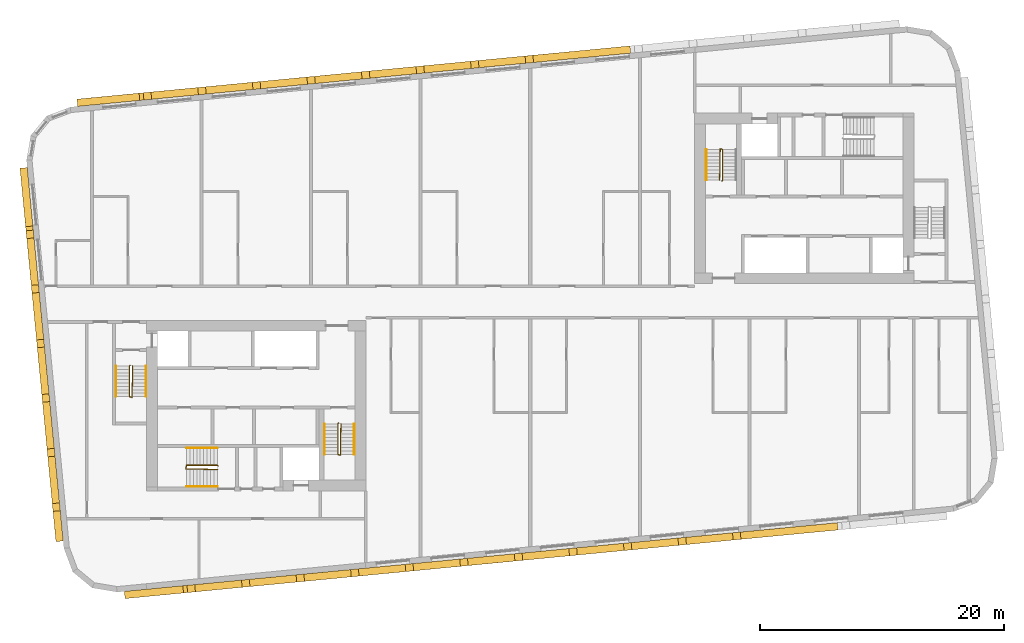
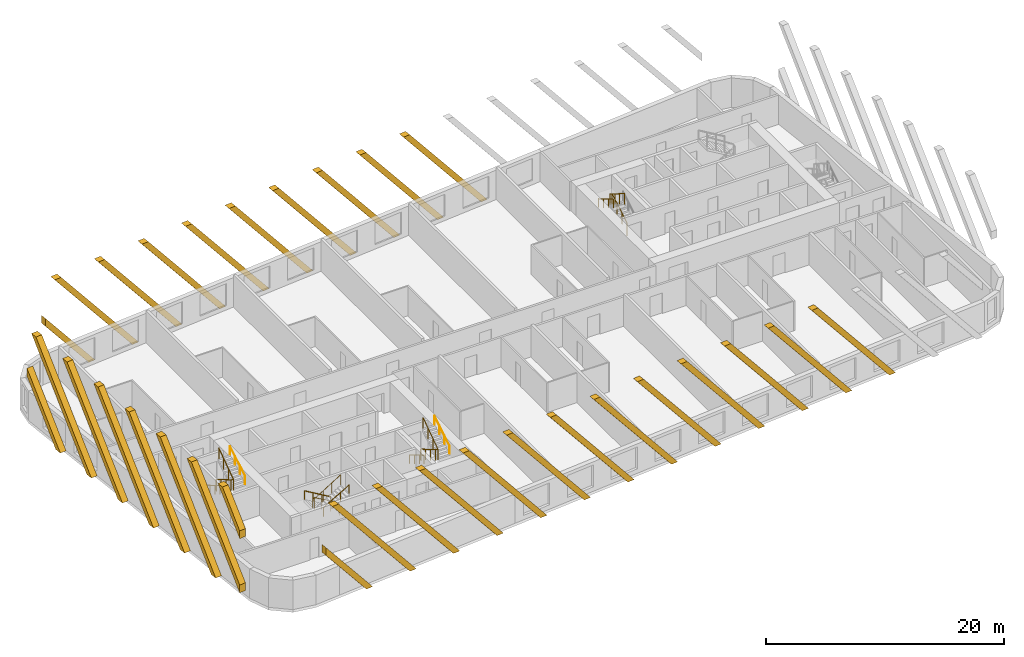
# One storey, part 11 of 12: 31 coverings, 11 railings.
"""IFC4 building model written with IfcOpenShell, lengths in metres."""

from ifc_helpers import new_model, si_unit, direction, frame, origin, origin_2d, place, context, subcontext, project, spatial, polyline, rectangle, circle, outline, extrude, material, material_profile, profile_set, type_object, element, save


model = new_model("IFC4")

# Units and contexts
model_context = context("Model", 3, precision=1e-05, world=origin(), true_north=direction((0.0, 1.0)))
body_context = subcontext(model_context, "Body", "Model", "MODEL_VIEW")
ifc_project = project(units=[si_unit("LENGTHUNIT", "METRE"), si_unit("AREAUNIT", "SQUARE_METRE"), si_unit("VOLUMEUNIT", "CUBIC_METRE"), si_unit("PLANEANGLEUNIT", "RADIAN"), si_unit("MASSUNIT", "GRAM", prefix="KILO")], contexts=[model_context])

# Site, building, storey
site_placement = place(None, origin())
site = spatial("IfcSite", under=ifc_project, at=site_placement, CompositionType="ELEMENT")
building_placement = place(site_placement, origin())
building = spatial("IfcBuilding", under=site, at=building_placement, Name="Kajstack Hotel Tower", CompositionType="ELEMENT")
storey_placement = place(building_placement, frame((0.0, 0.0, 268.5)))
storey = spatial("IfcBuildingStorey", under=building, at=storey_placement, Name="L66", CompositionType="ELEMENT", Elevation=268.5)

# Coverings
ifc_material_1 = material(Name="Terracotta", Category="masonry")
ifc_material_profile = material_profile(ifc_material_1, rectangle(XDim=0.60009765625, YDim=0.5, at=origin_2d()), Name="Terracotta-clad concrete baguette 500 x 600")
ifc_profile_set = profile_set([ifc_material_profile], Name="Terracotta")
covering_type = type_object("IfcCoveringType", Name="BAGUETTE 500x600", PredefinedType="CLADDING", material=ifc_profile_set)
covering_1_placement = place(storey_placement, frame((-41.298828125, 11.0390625, 0.0), z_axis=(-0.995377661201, -0.096038073607, 0.0), x_axis=(0.096038073607, -0.995377661201, 0.0)))
element("IfcCovering", 1, at=covering_1_placement, inside=storey, type_object=covering_type, Name="Baguette L66-00-000", PredefinedType="CLADDING", context=body_context, shape_type="SweptSolid", body=[
    extrude(outline(polyline([(4.82177734375, 0.0), (0.0, 5.954345703125), (0.0, 5.15966796875), (4.17822265625, 0.0), (4.82177734375, 0.0)])), origin(), (0.0, 0.0, 1.0), 0.599853515625),
])
for number, where, z_axis, x_axis, name in (
    (2, (-41.2353515625, 10.380615234375, 0.0), (-0.995416482233, -0.095634862357, 0.0), (0.095634862357, -0.995416482233, 0.0), "Baguette L66-00-004"),
    (3, (-40.80419921875, 5.9013671875, 0.0), (-0.995377661201, -0.096038073607, 0.0), (0.096038073607, -0.995377661201, 0.0), "Baguette L66-00-008"),
    (4, (-40.372802734375, 1.422119140625, 0.0), (-0.995377661201, -0.096038073607, 0.0), (0.096038073607, -0.995377661201, 0.0), "Baguette L66-00-012"),
):
    element("IfcCovering", number, at=place(storey_placement, frame(where, z_axis=z_axis, x_axis=x_axis)), inside=storey, type_object=covering_type, Name=name, PredefinedType="CLADDING", context=body_context, shape_type="SweptSolid", body=[
        extrude(outline(polyline([(0.0, 9.89990234375), (8.016845703125, 0.0), (8.66015625, 0.0), (0.643310546875, 9.89990234375), (0.0, 9.89990234375)])), origin(), (0.0, 0.0, 1.0), 0.599853515625),
    ])
covering_2_placement = place(storey_placement, frame((-39.94140625, -3.05712890625, 0.0), z_axis=(-0.995381412265, -0.095999188106, 0.0), x_axis=(0.095999188106, -0.995381412265, 0.0)))
element("IfcCovering", 5, at=covering_2_placement, inside=storey, type_object=covering_type, Name="Baguette L66-00-016", PredefinedType="CLADDING", context=body_context, shape_type="SweptSolid", body=[
    extrude(outline(polyline([(0.0, 9.89990234375), (8.016845703125, 0.0), (8.66015625, 0.0), (0.643310546875, 9.89990234375), (0.0, 9.89990234375)])), origin(), (0.0, 0.0, 1.0), 0.60009765625),
])
covering_3_placement = place(storey_placement, frame((-39.51025390625, -7.536376953125, 0.0), z_axis=(-0.995377661201, -0.096038073607, 0.0), x_axis=(0.096038073607, -0.995377661201, 0.0)))
element("IfcCovering", 6, at=covering_3_placement, inside=storey, type_object=covering_type, Name="Baguette L66-00-020", PredefinedType="CLADDING", context=body_context, shape_type="SweptSolid", body=[
    extrude(outline(polyline([(0.0, 9.89990234375), (8.016845703125, 0.0), (8.66015625, 0.0), (0.643310546875, 9.89990234375), (0.0, 9.89990234375)])), origin(), (0.0, 0.0, 1.0), 0.599853515625),
])
covering_4_placement = place(storey_placement, frame((-39.078857421875, -12.015869140625, 0.0), z_axis=(-0.995416482233, -0.095634862357, 0.0), x_axis=(0.095634862357, -0.995416482233, 0.0)))
element("IfcCovering", 7, at=covering_4_placement, inside=storey, type_object=covering_type, Name="Baguette L66-00-024", PredefinedType="CLADDING", context=body_context, shape_type="SweptSolid", body=[
    extrude(outline(polyline([(0.0, 9.89990234375), (7.638671875, 0.46728515625), (7.638671875, 1.26171875), (0.643310546875, 9.89990234375), (0.0, 9.89990234375)])), origin(), (0.0, 0.0, 1.0), 0.599853515625),
])
covering_5_placement = place(storey_placement, frame((-38.6474609375, -16.4951171875, 0.0), z_axis=(-0.995420202011, -0.095596137095, 0.0), x_axis=(0.095596137095, -0.995420202011, 0.0)))
element("IfcCovering", 8, at=covering_5_placement, inside=storey, type_object=covering_type, Name="Baguette L66-00-028", PredefinedType="CLADDING", context=body_context, shape_type="SweptSolid", body=[
    extrude(outline(polyline([(0.0, 9.89990234375), (3.138671875, 6.024169921875), (3.138671875, 6.818603515625), (0.643310546875, 9.89990234375), (0.0, 9.89990234375)])), origin(), (0.0, 0.0, 1.0), 0.60009765625),
])
covering_6_placement = place(storey_placement, frame((-33.3271484375, -23.757080078125, 0.0), z_axis=(0.096038073607, -0.995377661201, 0.0), x_axis=(0.995377661201, 0.096038073607, 0.0)))
element("IfcCovering", 9, at=covering_6_placement, inside=storey, type_object=covering_type, Name="Baguette L66-04-000", PredefinedType="CLADDING", context=body_context, shape_type="SweptSolid", body=[
    extrude(outline(polyline([(4.82177734375, 0.0), (0.0, 5.954345703125), (0.0, 5.15966796875), (4.17822265625, 0.0), (4.82177734375, 0.0)])), origin(), (0.0, 0.0, 1.0), 0.599853515625),
])
covering_7_placement = place(storey_placement, frame((-32.668701171875, -23.693603515625, 0.0), z_axis=(0.095999188106, -0.995381412265, 0.0), x_axis=(0.995381412265, 0.095999188106, 0.0)))
element("IfcCovering", 10, at=covering_7_placement, inside=storey, type_object=covering_type, Name="Baguette L66-04-004", PredefinedType="CLADDING", context=body_context, shape_type="SweptSolid", body=[
    extrude(outline(polyline([(0.0, 9.89990234375), (8.016845703125, 0.0), (8.66015625, 0.0), (0.643310546875, 9.89990234375), (0.0, 9.89990234375)])), origin(), (0.0, 0.0, 1.0), 0.60009765625),
])
for number, where, z_axis, x_axis, name in (
    (11, (-28.189453125, -23.262451171875, 0.0), (0.096038073607, -0.995377661201, 0.0), (0.995377661201, 0.096038073607, 0.0), "Baguette L66-04-008"),
    (12, (-23.710205078125, -22.8310546875, 0.0), (0.096038073607, -0.995377661201, 0.0), (0.995377661201, 0.096038073607, 0.0), "Baguette L66-04-012"),
):
    element("IfcCovering", number, at=place(storey_placement, frame(where, z_axis=z_axis, x_axis=x_axis)), inside=storey, type_object=covering_type, Name=name, PredefinedType="CLADDING", context=body_context, shape_type="SweptSolid", body=[
        extrude(outline(polyline([(0.0, 9.89990234375), (8.016845703125, 0.0), (8.66015625, 0.0), (0.643310546875, 9.89990234375), (0.0, 9.89990234375)])), origin(), (0.0, 0.0, 1.0), 0.599853515625),
    ])
covering_8_placement = place(storey_placement, frame((-19.230712890625, -22.399658203125, 0.0), z_axis=(0.095596137095, -0.995420202011, 0.0), x_axis=(0.995420202011, 0.095596137095, 0.0)))
element("IfcCovering", 13, at=covering_8_placement, inside=storey, type_object=covering_type, Name="Baguette L66-04-016", PredefinedType="CLADDING", context=body_context, shape_type="SweptSolid", body=[
    extrude(outline(polyline([(0.0, 9.89990234375), (8.016845703125, 0.0), (8.66015625, 0.0), (0.643310546875, 9.89990234375), (0.0, 9.89990234375)])), origin(), (0.0, 0.0, 1.0), 0.60009765625),
])
for number, where, z_axis, x_axis, name in (
    (14, (-14.75146484375, -21.968505859375, 0.0), (0.095634862357, -0.995416482233, 0.0), (0.995416482233, 0.095634862357, 0.0), "Baguette L66-04-020"),
    (15, (-10.272216796875, -21.537109375, 0.0), (0.095634862357, -0.995416482233, 0.0), (0.995416482233, 0.095634862357, 0.0), "Baguette L66-04-024"),
    (16, (-5.79296875, -21.10595703125, 0.0), (0.096038073607, -0.995377661201, 0.0), (0.995377661201, 0.096038073607, 0.0), "Baguette L66-04-028"),
    (17, (-1.313720703125, -20.674560546875, 0.0), (0.096038073607, -0.995377661201, 0.0), (0.995377661201, 0.096038073607, 0.0), "Baguette L66-04-032"),
):
    element("IfcCovering", number, at=place(storey_placement, frame(where, z_axis=z_axis, x_axis=x_axis)), inside=storey, type_object=covering_type, Name=name, PredefinedType="CLADDING", context=body_context, shape_type="SweptSolid", body=[
        extrude(outline(polyline([(0.0, 9.89990234375), (8.016845703125, 0.0), (8.66015625, 0.0), (0.643310546875, 9.89990234375), (0.0, 9.89990234375)])), origin(), (0.0, 0.0, 1.0), 0.599853515625),
    ])
covering_9_placement = place(storey_placement, frame((3.16552734375, -20.2431640625, 0.0), z_axis=(0.095999188106, -0.995381412265, 0.0), x_axis=(0.995381412265, 0.095999188106, 0.0)))
element("IfcCovering", 18, at=covering_9_placement, inside=storey, type_object=covering_type, Name="Baguette L66-04-036", PredefinedType="CLADDING", context=body_context, shape_type="SweptSolid", body=[
    extrude(outline(polyline([(0.0, 9.89990234375), (8.016845703125, 0.0), (8.66015625, 0.0), (0.643310546875, 9.89990234375), (0.0, 9.89990234375)])), origin(), (0.0, 0.0, 1.0), 0.60009765625),
])
for number, where, z_axis, x_axis, name in (
    (19, (7.644775390625, -19.81201171875, 0.0), (0.096038073607, -0.995377661201, 0.0), (0.995377661201, 0.096038073607, 0.0), "Baguette L66-04-040"),
    (20, (12.1240234375, -19.380615234375, 0.0), (0.096038073607, -0.995377661201, 0.0), (0.995377661201, 0.096038073607, 0.0), "Baguette L66-04-044"),
):
    element("IfcCovering", number, at=place(storey_placement, frame(where, z_axis=z_axis, x_axis=x_axis)), inside=storey, type_object=covering_type, Name=name, PredefinedType="CLADDING", context=body_context, shape_type="SweptSolid", body=[
        extrude(outline(polyline([(0.0, 9.89990234375), (8.016845703125, 0.0), (8.66015625, 0.0), (0.643310546875, 9.89990234375), (0.0, 9.89990234375)])), origin(), (0.0, 0.0, 1.0), 0.599853515625),
    ])
covering_10_placement = place(storey_placement, frame((16.603515625, -18.94921875, 0.0), z_axis=(0.095596137095, -0.995420202011, 0.0), x_axis=(0.995420202011, 0.095596137095, 0.0)))
element("IfcCovering", 21, at=covering_10_placement, inside=storey, type_object=covering_type, Name="Baguette L66-04-048", PredefinedType="CLADDING", context=body_context, shape_type="SweptSolid", body=[
    extrude(outline(polyline([(0.0, 9.89990234375), (8.016845703125, 0.0), (8.66015625, 0.0), (0.643310546875, 9.89990234375), (0.0, 9.89990234375)])), origin(), (0.0, 0.0, 1.0), 0.60009765625),
])
covering_11_placement = place(storey_placement, frame((8.2509765625, 20.431396484375, 0.0), z_axis=(-0.096038073607, 0.995377661201, 0.0), x_axis=(-0.995377661201, -0.096038073607, 0.0)))
element("IfcCovering", 22, at=covering_11_placement, inside=storey, type_object=covering_type, Name="Baguette L66-12-024", PredefinedType="CLADDING", context=body_context, shape_type="SweptSolid", body=[
    extrude(outline(polyline([(8.016845703125, 9.89990234375), (0.0, 0.0), (0.643310546875, 0.0), (8.66015625, 9.89990234375), (8.016845703125, 9.89990234375)])), origin(), (0.0, 0.0, 1.0), 0.599853515625),
])
covering_12_placement = place(storey_placement, frame((3.771484375, 20.0, 0.0), z_axis=(-0.095596137095, 0.995420202011, 0.0), x_axis=(-0.995420202011, -0.095596137095, 0.0)))
element("IfcCovering", 23, at=covering_12_placement, inside=storey, type_object=covering_type, Name="Baguette L66-12-028", PredefinedType="CLADDING", context=body_context, shape_type="SweptSolid", body=[
    extrude(outline(polyline([(8.016845703125, 9.89990234375), (0.0, 0.0), (0.643310546875, 0.0), (8.66015625, 9.89990234375), (8.016845703125, 9.89990234375)])), origin(), (0.0, 0.0, 1.0), 0.60009765625),
])
for number, where, z_axis, x_axis, name in (
    (24, (-0.707763671875, 19.56884765625, 0.0), (-0.095634862357, 0.995416482233, 0.0), (-0.995416482233, -0.095634862357, 0.0), "Baguette L66-12-032"),
    (25, (-5.18701171875, 19.137451171875, 0.0), (-0.095634862357, 0.995416482233, 0.0), (-0.995416482233, -0.095634862357, 0.0), "Baguette L66-12-036"),
):
    element("IfcCovering", number, at=place(storey_placement, frame(where, z_axis=z_axis, x_axis=x_axis)), inside=storey, type_object=covering_type, Name=name, PredefinedType="CLADDING", context=body_context, shape_type="SweptSolid", body=[
        extrude(outline(polyline([(8.016845703125, 9.89990234375), (0.0, 0.0), (0.643310546875, 0.0), (8.66015625, 9.89990234375), (8.016845703125, 9.89990234375)])), origin(), (0.0, 0.0, 1.0), 0.599853515625),
    ])
covering_13_placement = place(storey_placement, frame((-9.666259765625, 18.7060546875, 0.0), z_axis=(-0.095999188106, 0.995381412265, 0.0), x_axis=(-0.995381412265, -0.095999188106, 0.0)))
element("IfcCovering", 26, at=covering_13_placement, inside=storey, type_object=covering_type, Name="Baguette L66-12-040", PredefinedType="CLADDING", context=body_context, shape_type="SweptSolid", body=[
    extrude(outline(polyline([(8.016845703125, 9.89990234375), (0.0, 0.0), (0.643310546875, 0.0), (8.66015625, 9.89990234375), (8.016845703125, 9.89990234375)])), origin(), (0.0, 0.0, 1.0), 0.60009765625),
])
for number, where, z_axis, x_axis, name in (
    (27, (-14.1455078125, 18.27490234375, 0.0), (-0.096038073607, 0.995377661201, 0.0), (-0.995377661201, -0.096038073607, 0.0), "Baguette L66-12-044"),
    (28, (-18.624755859375, 17.843505859375, 0.0), (-0.096038073607, 0.995377661201, 0.0), (-0.995377661201, -0.096038073607, 0.0), "Baguette L66-12-048"),
):
    element("IfcCovering", number, at=place(storey_placement, frame(where, z_axis=z_axis, x_axis=x_axis)), inside=storey, type_object=covering_type, Name=name, PredefinedType="CLADDING", context=body_context, shape_type="SweptSolid", body=[
        extrude(outline(polyline([(8.016845703125, 9.89990234375), (0.0, 0.0), (0.643310546875, 0.0), (8.66015625, 9.89990234375), (8.016845703125, 9.89990234375)])), origin(), (0.0, 0.0, 1.0), 0.599853515625),
    ])
covering_14_placement = place(storey_placement, frame((-23.10400390625, 17.412109375, 0.0), z_axis=(-0.095999188106, 0.995381412265, 0.0), x_axis=(-0.995381412265, -0.095999188106, 0.0)))
element("IfcCovering", 29, at=covering_14_placement, inside=storey, type_object=covering_type, Name="Baguette L66-12-052", PredefinedType="CLADDING", context=body_context, shape_type="SweptSolid", body=[
    extrude(outline(polyline([(8.016845703125, 9.89990234375), (0.0, 0.0), (0.643310546875, 0.0), (8.66015625, 9.89990234375), (8.016845703125, 9.89990234375)])), origin(), (0.0, 0.0, 1.0), 0.60009765625),
])
covering_15_placement = place(storey_placement, frame((-27.58349609375, 16.98095703125, 0.0), z_axis=(-0.095634862357, 0.995416482233, 0.0), x_axis=(-0.995416482233, -0.095634862357, 0.0)))
element("IfcCovering", 30, at=covering_15_placement, inside=storey, type_object=covering_type, Name="Baguette L66-12-056", PredefinedType="CLADDING", context=body_context, shape_type="SweptSolid", body=[
    extrude(outline(polyline([(8.016845703125, 9.89990234375), (0.0, 0.0), (0.643310546875, 0.0), (8.66015625, 9.89990234375), (8.016845703125, 9.89990234375)])), origin(), (0.0, 0.0, 1.0), 0.599853515625),
])
covering_16_placement = place(storey_placement, frame((-32.062744140625, 16.549560546875, 0.0), z_axis=(-0.095634862357, 0.995416482233, 0.0), x_axis=(-0.995416482233, -0.095634862357, 0.0)))
element("IfcCovering", 31, at=covering_16_placement, inside=storey, type_object=covering_type, Name="Baguette L66-12-060", PredefinedType="CLADDING", context=body_context, shape_type="SweptSolid", body=[
    extrude(outline(polyline([(0.643310546875, 0.0), (5.121826171875, 5.5302734375), (5.121826171875, 6.324951171875), (0.0, 0.0), (0.643310546875, 0.0)])), origin(), (0.0, 0.0, 1.0), 0.599853515625),
])

# Railings
ifc_material_2 = material(Name="Steel S355J2", Category="steel")
railing_type_1 = type_object("IfcRailingType", Name="Stair guard 1100", PredefinedType="GUARDRAIL", material=ifc_material_2)
railing_1_placement = place(storey_placement, frame((-32.85009765625, -5.199951171875, 0.0)))
element("IfcRailing", 32, at=railing_1_placement, inside=storey, type_object=railing_type_1, Name="L66 W1 stair guard 1", PredefinedType="GUARDRAIL", context=body_context, shape_type="SweptSolid", body=[
    extrude(circle(Radius=0.02392578125, at=origin_2d()), frame((0.0, 0.0, 1.076171875), z_axis=(-0.277450376394, -0.278810427259, 0.919394384522), x_axis=(0.708833529934, -0.705375805398, 0.0)), (0.0, 0.0, 1.0), 0.179443359375),
    extrude(circle(Radius=0.02392578125, at=origin_2d()), frame((-0.0498046875, -0.050048828125, 1.2412109375), z_axis=(0.0, -0.861560626758, 0.507654692109), x_axis=(1.0, 0.0, 0.0)), (0.0, 0.0, 1.0), 2.925048828125),
    extrude(circle(Radius=0.02392578125, at=origin_2d()), frame((-0.0498046875, -2.570068359375, 2.72607421875), z_axis=(0.970072785993, -0.242814311512, 0.0), x_axis=(0.242814311512, 0.970072785993, 0.0)), (0.0, 0.0, 1.0), 0.2060546875),
    extrude(circle(Radius=0.02392578125, at=origin_2d()), frame((0.150146484375, -2.6201171875, 2.72607421875), z_axis=(0.016384601254, 0.84136925563, 0.540212292087), x_axis=(-0.999810440751, 0.019470042781, 0.0)), (0.0, 0.0, 1.0), 3.0546875),
    extrude(circle(Radius=0.02099609375, at=origin_2d()), origin(), (0.0, 0.0, 1.0), 1.052001953125),
    extrude(circle(Radius=0.02099609375, at=origin_2d()), frame((-0.0498046875, -0.050048828125, 0.1650390625)), (0.0, 0.0, 1.0), 1.052001953125),
    extrude(circle(Radius=0.02099609375, at=origin_2d()), frame((-0.0498046875, -0.89013671875, 0.659912109375)), (0.0, 0.0, 1.0), 1.052001953125),
    extrude(circle(Radius=0.02099609375, at=origin_2d()), frame((-0.0498046875, -1.72998046875, 1.155029296875)), (0.0, 0.0, 1.0), 1.052001953125),
    extrude(circle(Radius=0.02099609375, at=origin_2d()), frame((-0.0498046875, -2.570068359375, 1.64990234375)), (0.0, 0.0, 1.0), 1.052001953125),
    extrude(circle(Radius=0.02099609375, at=origin_2d()), frame((0.150146484375, -2.6201171875, 1.64990234375)), (0.0, 0.0, 1.0), 1.052001953125),
    extrude(circle(Radius=0.02099609375, at=origin_2d()), frame((0.166748046875, -1.763427734375, 2.199951171875)), (0.0, 0.0, 1.0), 1.052001953125),
    extrude(circle(Radius=0.02099609375, at=origin_2d()), frame((0.18359375, -0.90673828125, 2.75)), (0.0, 0.0, 1.0), 1.052001953125),
    extrude(circle(Radius=0.02099609375, at=origin_2d()), frame((0.2001953125, -0.050048828125, 3.300048828125)), (0.0, 0.0, 1.0), 1.052001953125),
])
railing_2_placement = place(storey_placement, frame((-15.75, -9.949951171875, 0.0)))
element("IfcRailing", 33, at=railing_2_placement, inside=storey, type_object=railing_type_1, Name="L66 W2 stair guard 1", PredefinedType="GUARDRAIL", context=body_context, shape_type="SweptSolid", body=[
    extrude(circle(Radius=0.02392578125, at=origin_2d()), frame((0.0, 0.0, 1.076171875), z_axis=(-0.278705021027, -0.278705021027, 0.919046801044), x_axis=(0.707106781187, -0.707106781187, 0.0)), (0.0, 0.0, 1.0), 0.1796875),
    extrude(circle(Radius=0.02392578125, at=origin_2d()), frame((-0.050048828125, -0.050048828125, 1.2412109375), z_axis=(0.0, -0.861560626758, 0.507654692109), x_axis=(1.0, 0.0, 0.0)), (0.0, 0.0, 1.0), 2.925048828125),
    extrude(circle(Radius=0.02392578125, at=origin_2d()), frame((-0.050048828125, -2.570068359375, 2.72607421875), z_axis=(0.970072785993, -0.242814311512, 0.0), x_axis=(0.242814311512, 0.970072785993, 0.0)), (0.0, 0.0, 1.0), 0.2060546875),
    extrude(circle(Radius=0.02392578125, at=origin_2d()), frame((0.14990234375, -2.6201171875, 2.72607421875), z_axis=(0.016384601254, 0.84136925563, 0.540212292087), x_axis=(-0.999810440751, 0.019470042781, 0.0)), (0.0, 0.0, 1.0), 3.0546875),
    extrude(circle(Radius=0.02099609375, at=origin_2d()), origin(), (0.0, 0.0, 1.0), 1.052001953125),
    extrude(circle(Radius=0.02099609375, at=origin_2d()), frame((-0.050048828125, -0.050048828125, 0.1650390625)), (0.0, 0.0, 1.0), 1.052001953125),
    extrude(circle(Radius=0.02099609375, at=origin_2d()), frame((-0.050048828125, -0.89013671875, 0.659912109375)), (0.0, 0.0, 1.0), 1.052001953125),
    extrude(circle(Radius=0.02099609375, at=origin_2d()), frame((-0.050048828125, -1.72998046875, 1.155029296875)), (0.0, 0.0, 1.0), 1.052001953125),
    extrude(circle(Radius=0.02099609375, at=origin_2d()), frame((-0.050048828125, -2.570068359375, 1.64990234375)), (0.0, 0.0, 1.0), 1.052001953125),
    extrude(circle(Radius=0.02099609375, at=origin_2d()), frame((0.14990234375, -2.6201171875, 1.64990234375)), (0.0, 0.0, 1.0), 1.052001953125),
    extrude(circle(Radius=0.02099609375, at=origin_2d()), frame((0.16650390625, -1.763427734375, 2.199951171875)), (0.0, 0.0, 1.0), 1.052001953125),
    extrude(circle(Radius=0.02099609375, at=origin_2d()), frame((0.183349609375, -0.90673828125, 2.75)), (0.0, 0.0, 1.0), 1.052001953125),
    extrude(circle(Radius=0.02099609375, at=origin_2d()), frame((0.199951171875, -0.050048828125, 3.300048828125)), (0.0, 0.0, 1.0), 1.052001953125),
])
railing_3_placement = place(storey_placement, frame((-25.64990234375, -13.449951171875, 0.0)))
element("IfcRailing", 34, at=railing_3_placement, inside=storey, type_object=railing_type_1, Name="L66 W3 stair guard 1", PredefinedType="GUARDRAIL", context=body_context, shape_type="SweptSolid", body=[
    extrude(circle(Radius=0.02392578125, at=origin_2d()), frame((0.0, 0.0, 1.076171875), z_axis=(-0.278705021027, 0.278705021027, 0.919046801044), x_axis=(-0.707106781187, -0.707106781187, 0.0)), (0.0, 0.0, 1.0), 0.1796875),
    extrude(circle(Radius=0.02392578125, at=origin_2d()), frame((-0.050048828125, 0.050048828125, 1.2412109375), z_axis=(-0.861560626758, 0.0, 0.507654692109), x_axis=(0.0, -1.0, 0.0)), (0.0, 0.0, 1.0), 2.925048828125),
    extrude(circle(Radius=0.02392578125, at=origin_2d()), frame((-2.570068359375, 0.050048828125, 2.72607421875), z_axis=(-0.164529134168, -0.986372223864, 0.0), x_axis=(0.986372223864, -0.164529134168, 0.0)), (0.0, 0.0, 1.0), 0.30419921875),
    extrude(circle(Radius=0.02392578125, at=origin_2d()), frame((-2.6201171875, -0.25, 2.72607421875), z_axis=(0.84136925563, -0.016384601254, 0.540212292087), x_axis=(0.019470042781, 0.999810440751, 0.0)), (0.0, 0.0, 1.0), 3.0546875),
    extrude(circle(Radius=0.02099609375, at=origin_2d()), origin(), (0.0, 0.0, 1.0), 1.052001953125),
    extrude(circle(Radius=0.02099609375, at=origin_2d()), frame((-0.050048828125, 0.050048828125, 0.1650390625)), (0.0, 0.0, 1.0), 1.052001953125),
    extrude(circle(Radius=0.02099609375, at=origin_2d()), frame((-0.89013671875, 0.050048828125, 0.659912109375)), (0.0, 0.0, 1.0), 1.052001953125),
    extrude(circle(Radius=0.02099609375, at=origin_2d()), frame((-1.72998046875, 0.050048828125, 1.155029296875)), (0.0, 0.0, 1.0), 1.052001953125),
    extrude(circle(Radius=0.02099609375, at=origin_2d()), frame((-2.570068359375, 0.050048828125, 1.64990234375)), (0.0, 0.0, 1.0), 1.052001953125),
    extrude(circle(Radius=0.02099609375, at=origin_2d()), frame((-2.6201171875, -0.25, 1.64990234375)), (0.0, 0.0, 1.0), 1.052001953125),
    extrude(circle(Radius=0.02099609375, at=origin_2d()), frame((-1.763427734375, -0.2666015625, 2.199951171875)), (0.0, 0.0, 1.0), 1.052001953125),
    extrude(circle(Radius=0.02099609375, at=origin_2d()), frame((-0.90673828125, -0.283447265625, 2.75)), (0.0, 0.0, 1.0), 1.052001953125),
    extrude(circle(Radius=0.02099609375, at=origin_2d()), frame((-0.050048828125, -0.300048828125, 3.300048828125)), (0.0, 0.0, 1.0), 1.052001953125),
])
railing_4_placement = place(storey_placement, frame((15.75, 9.949951171875, 0.0)))
element("IfcRailing", 35, at=railing_4_placement, inside=storey, type_object=railing_type_1, Name="L66 E2 stair guard 1", PredefinedType="GUARDRAIL", context=body_context, shape_type="SweptSolid", body=[
    extrude(circle(Radius=0.02392578125, at=origin_2d()), frame((0.0, 0.0, 1.076171875), z_axis=(0.278705021027, 0.278705021027, 0.919046801044), x_axis=(-0.707106781187, 0.707106781187, 0.0)), (0.0, 0.0, 1.0), 0.1796875),
    extrude(circle(Radius=0.02392578125, at=origin_2d()), frame((0.050048828125, 0.050048828125, 1.2412109375), z_axis=(0.0, 0.861560626758, 0.507654692109), x_axis=(-1.0, 0.0, 0.0)), (0.0, 0.0, 1.0), 2.925048828125),
    extrude(circle(Radius=0.02392578125, at=origin_2d()), frame((0.050048828125, 2.570068359375, 2.72607421875), z_axis=(-0.970072785993, 0.242814311512, 0.0), x_axis=(-0.242814311512, -0.970072785993, 0.0)), (0.0, 0.0, 1.0), 0.2060546875),
    extrude(circle(Radius=0.02392578125, at=origin_2d()), frame((-0.14990234375, 2.6201171875, 2.72607421875), z_axis=(-0.016384601254, -0.84136925563, 0.540212292087), x_axis=(0.999810440751, -0.019470042781, 0.0)), (0.0, 0.0, 1.0), 3.0546875),
    extrude(circle(Radius=0.02099609375, at=origin_2d()), origin(), (0.0, 0.0, 1.0), 1.052001953125),
    extrude(circle(Radius=0.02099609375, at=origin_2d()), frame((0.050048828125, 0.050048828125, 0.1650390625)), (0.0, 0.0, 1.0), 1.052001953125),
    extrude(circle(Radius=0.02099609375, at=origin_2d()), frame((0.050048828125, 0.89013671875, 0.659912109375)), (0.0, 0.0, 1.0), 1.052001953125),
    extrude(circle(Radius=0.02099609375, at=origin_2d()), frame((0.050048828125, 1.72998046875, 1.155029296875)), (0.0, 0.0, 1.0), 1.052001953125),
    extrude(circle(Radius=0.02099609375, at=origin_2d()), frame((0.050048828125, 2.570068359375, 1.64990234375)), (0.0, 0.0, 1.0), 1.052001953125),
    extrude(circle(Radius=0.02099609375, at=origin_2d()), frame((-0.14990234375, 2.6201171875, 1.64990234375)), (0.0, 0.0, 1.0), 1.052001953125),
    extrude(circle(Radius=0.02099609375, at=origin_2d()), frame((-0.16650390625, 1.763427734375, 2.199951171875)), (0.0, 0.0, 1.0), 1.052001953125),
    extrude(circle(Radius=0.02099609375, at=origin_2d()), frame((-0.183349609375, 0.90673828125, 2.75)), (0.0, 0.0, 1.0), 1.052001953125),
    extrude(circle(Radius=0.02099609375, at=origin_2d()), frame((-0.199951171875, 0.050048828125, 3.300048828125)), (0.0, 0.0, 1.0), 1.052001953125),
])
railing_type_2 = type_object("IfcRailingType", Name="Stair handrail 900", PredefinedType="HANDRAIL", material=ifc_material_2)
railing_5_placement = place(storey_placement, frame((-34.0, -5.25, 0.1650390625)))
element("IfcRailing", 36, at=railing_5_placement, inside=storey, type_object=railing_type_2, Name="L66 W1 stair handrail 1", PredefinedType="HANDRAIL", context=body_context, shape_type="SweptSolid", body=[
    extrude(circle(Radius=0.02392578125, at=origin_2d()), frame((0.0, 0.0, 0.8759765625), z_axis=(0.0, -0.861560626758, 0.507654692109), x_axis=(1.0, 0.0, 0.0)), (0.0, 0.0, 1.0), 2.925048828125),
    extrude(circle(Radius=0.02099609375, at=origin_2d()), origin(), (0.0, 0.0, 1.0), 0.851806640625),
    extrude(circle(Radius=0.02099609375, at=origin_2d()), frame((0.0, -0.840087890625, 0.494873046875)), (0.0, 0.0, 1.0), 0.851806640625),
    extrude(circle(Radius=0.02099609375, at=origin_2d()), frame((0.0, -1.679931640625, 0.989990234375)), (0.0, 0.0, 1.0), 0.851806640625),
    extrude(circle(Radius=0.02099609375, at=origin_2d()), frame((0.0, -2.52001953125, 1.48486328125)), (0.0, 0.0, 1.0), 0.851806640625),
])
railing_6_placement = place(storey_placement, frame((-31.550048828125, -7.77001953125, 1.81494140625)))
element("IfcRailing", 37, at=railing_6_placement, inside=storey, type_object=railing_type_2, Name="L66 W1 stair handrail 2", PredefinedType="HANDRAIL", context=body_context, shape_type="SweptSolid", body=[
    extrude(circle(Radius=0.02392578125, at=origin_2d()), frame((0.0, 0.0, 0.8759765625), z_axis=(0.0, 0.86152411907, 0.507716645641), x_axis=(-1.0, 0.0, 0.0)), (0.0, 0.0, 1.0), 2.925048828125),
    extrude(circle(Radius=0.02099609375, at=origin_2d()), origin(), (0.0, 0.0, 1.0), 0.851806640625),
    extrude(circle(Radius=0.02099609375, at=origin_2d()), frame((0.0, 0.840087890625, 0.4951171875)), (0.0, 0.0, 1.0), 0.851806640625),
    extrude(circle(Radius=0.02099609375, at=origin_2d()), frame((0.0, 1.679931640625, 0.989990234375)), (0.0, 0.0, 1.0), 0.851806640625),
    extrude(circle(Radius=0.02099609375, at=origin_2d()), frame((0.0, 2.52001953125, 1.485107421875)), (0.0, 0.0, 1.0), 0.851806640625),
])
railing_7_placement = place(storey_placement, frame((-16.89990234375, -10.0, 0.1650390625)))
element("IfcRailing", 38, at=railing_7_placement, inside=storey, type_object=railing_type_2, Name="L66 W2 stair handrail 1", PredefinedType="HANDRAIL", context=body_context, shape_type="SweptSolid", body=[
    extrude(circle(Radius=0.02392578125, at=origin_2d()), frame((0.0, 0.0, 0.8759765625), z_axis=(0.0, -0.861560626758, 0.507654692109), x_axis=(1.0, 0.0, 0.0)), (0.0, 0.0, 1.0), 2.925048828125),
    extrude(circle(Radius=0.02099609375, at=origin_2d()), origin(), (0.0, 0.0, 1.0), 0.851806640625),
    extrude(circle(Radius=0.02099609375, at=origin_2d()), frame((0.0, -0.840087890625, 0.494873046875)), (0.0, 0.0, 1.0), 0.851806640625),
    extrude(circle(Radius=0.02099609375, at=origin_2d()), frame((0.0, -1.679931640625, 0.989990234375)), (0.0, 0.0, 1.0), 0.851806640625),
    extrude(circle(Radius=0.02099609375, at=origin_2d()), frame((0.0, -2.52001953125, 1.48486328125)), (0.0, 0.0, 1.0), 0.851806640625),
])
railing_8_placement = place(storey_placement, frame((-14.449951171875, -12.52001953125, 1.81494140625)))
element("IfcRailing", 39, at=railing_8_placement, inside=storey, type_object=railing_type_2, Name="L66 W2 stair handrail 2", PredefinedType="HANDRAIL", context=body_context, shape_type="SweptSolid", body=[
    extrude(circle(Radius=0.02392578125, at=origin_2d()), frame((0.0, 0.0, 0.8759765625), z_axis=(0.0, 0.86152411907, 0.507716645641), x_axis=(-1.0, 0.0, 0.0)), (0.0, 0.0, 1.0), 2.925048828125),
    extrude(circle(Radius=0.02099609375, at=origin_2d()), origin(), (0.0, 0.0, 1.0), 0.851806640625),
    extrude(circle(Radius=0.02099609375, at=origin_2d()), frame((0.0, 0.840087890625, 0.4951171875)), (0.0, 0.0, 1.0), 0.851806640625),
    extrude(circle(Radius=0.02099609375, at=origin_2d()), frame((0.0, 1.679931640625, 0.989990234375)), (0.0, 0.0, 1.0), 0.851806640625),
    extrude(circle(Radius=0.02099609375, at=origin_2d()), frame((0.0, 2.52001953125, 1.485107421875)), (0.0, 0.0, 1.0), 0.851806640625),
])
railing_9_placement = place(storey_placement, frame((-25.699951171875, -12.0, 0.1650390625)))
element("IfcRailing", 40, at=railing_9_placement, inside=storey, type_object=railing_type_2, Name="L66 W3 stair handrail 1", PredefinedType="HANDRAIL", context=body_context, shape_type="SweptSolid", body=[
    extrude(circle(Radius=0.02392578125, at=origin_2d()), frame((0.0, 0.0, 0.8759765625), z_axis=(-0.861560626758, 0.0, 0.507654692109), x_axis=(0.0, -1.0, 0.0)), (0.0, 0.0, 1.0), 2.925048828125),
    extrude(circle(Radius=0.02099609375, at=origin_2d()), origin(), (0.0, 0.0, 1.0), 0.851806640625),
    extrude(circle(Radius=0.02099609375, at=origin_2d()), frame((-0.840087890625, 0.0, 0.494873046875)), (0.0, 0.0, 1.0), 0.851806640625),
    extrude(circle(Radius=0.02099609375, at=origin_2d()), frame((-1.679931640625, 0.0, 0.989990234375)), (0.0, 0.0, 1.0), 0.851806640625),
    extrude(circle(Radius=0.02099609375, at=origin_2d()), frame((-2.52001953125, 0.0, 1.48486328125)), (0.0, 0.0, 1.0), 0.851806640625),
])
railing_10_placement = place(storey_placement, frame((-28.219970703125, -15.14990234375, 1.81494140625)))
element("IfcRailing", 41, at=railing_10_placement, inside=storey, type_object=railing_type_2, Name="L66 W3 stair handrail 2", PredefinedType="HANDRAIL", context=body_context, shape_type="SweptSolid", body=[
    extrude(circle(Radius=0.02392578125, at=origin_2d()), frame((0.0, 0.0, 0.8759765625), z_axis=(0.86152411907, 0.0, 0.507716645641), x_axis=(0.0, 1.0, 0.0)), (0.0, 0.0, 1.0), 2.925048828125),
    extrude(circle(Radius=0.02099609375, at=origin_2d()), origin(), (0.0, 0.0, 1.0), 0.851806640625),
    extrude(circle(Radius=0.02099609375, at=origin_2d()), frame((0.840087890625, 0.0, 0.4951171875)), (0.0, 0.0, 1.0), 0.851806640625),
    extrude(circle(Radius=0.02099609375, at=origin_2d()), frame((1.679931640625, 0.0, 0.989990234375)), (0.0, 0.0, 1.0), 0.851806640625),
    extrude(circle(Radius=0.02099609375, at=origin_2d()), frame((2.52001953125, 0.0, 1.485107421875)), (0.0, 0.0, 1.0), 0.851806640625),
])
railing_11_placement = place(storey_placement, frame((14.449951171875, 12.52001953125, 1.81494140625)))
element("IfcRailing", 42, at=railing_11_placement, inside=storey, type_object=railing_type_2, Name="L66 E2 stair handrail 2", PredefinedType="HANDRAIL", context=body_context, shape_type="SweptSolid", body=[
    extrude(circle(Radius=0.02392578125, at=origin_2d()), frame((0.0, 0.0, 0.8759765625), z_axis=(0.0, -0.86152411907, 0.507716645641), x_axis=(1.0, 0.0, 0.0)), (0.0, 0.0, 1.0), 2.925048828125),
    extrude(circle(Radius=0.02099609375, at=origin_2d()), origin(), (0.0, 0.0, 1.0), 0.851806640625),
    extrude(circle(Radius=0.02099609375, at=origin_2d()), frame((0.0, -0.840087890625, 0.4951171875)), (0.0, 0.0, 1.0), 0.851806640625),
    extrude(circle(Radius=0.02099609375, at=origin_2d()), frame((0.0, -1.679931640625, 0.989990234375)), (0.0, 0.0, 1.0), 0.851806640625),
    extrude(circle(Radius=0.02099609375, at=origin_2d()), frame((0.0, -2.52001953125, 1.485107421875)), (0.0, 0.0, 1.0), 0.851806640625),
])

save(model, "model.ifc")
